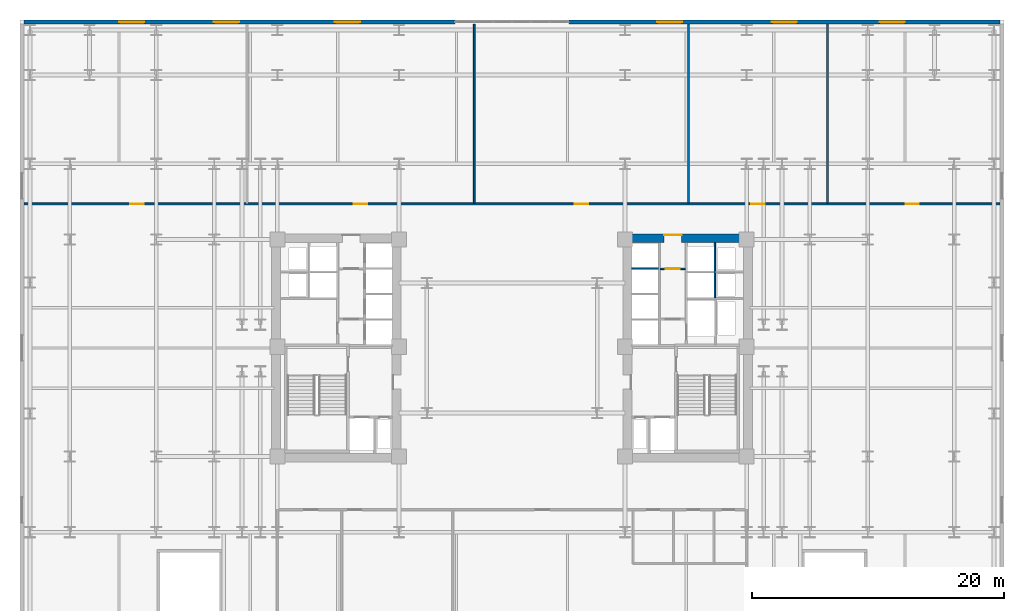
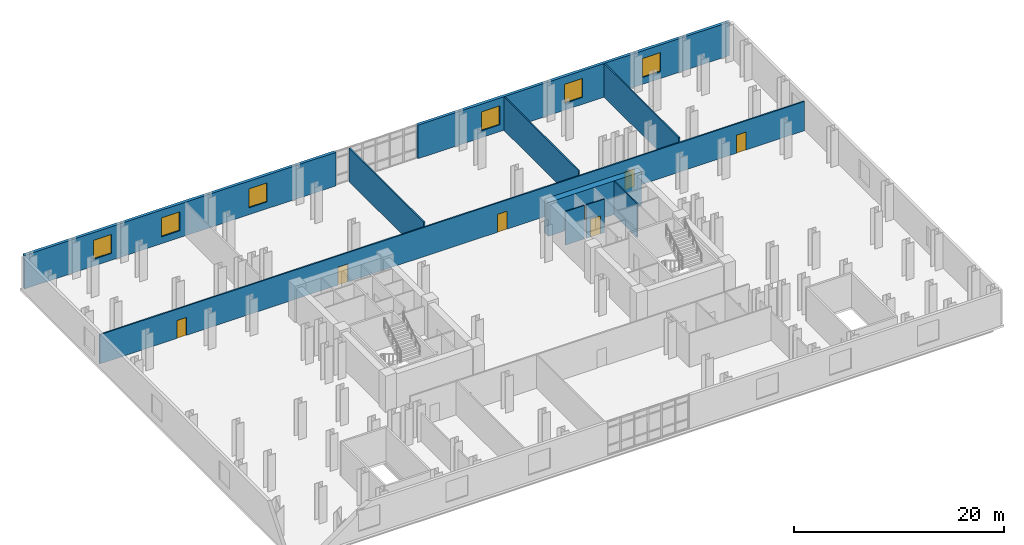
# One storey, part 10 of 13: 10 walls, 7 doors, 6 windows, 13 openings.
"""IFC4 building model written with IfcOpenShell, lengths in metres."""

from ifc_helpers import new_model, si_unit, direction, frame, frame_2d, origin, place, context, subcontext, project, spatial, rectangle, extrude, material, layer, layer_set, type_object, element, fill, save


model = new_model("IFC4")

# Units and contexts
model_context = context("Model", 3, precision=1e-05, world=origin(), true_north=direction((0.0, 1.0)))
body_context = subcontext(model_context, "Body", "Model", "MODEL_VIEW")
ifc_project = project(units=[si_unit("LENGTHUNIT", "METRE"), si_unit("AREAUNIT", "SQUARE_METRE"), si_unit("VOLUMEUNIT", "CUBIC_METRE"), si_unit("PLANEANGLEUNIT", "RADIAN"), si_unit("MASSUNIT", "GRAM", prefix="KILO")], contexts=[model_context])

# Site, building, storey
site_placement = place(None, origin())
site = spatial("IfcSite", under=ifc_project, at=site_placement, CompositionType="ELEMENT")
building_placement = place(site_placement, origin())
building = spatial("IfcBuilding", under=site, at=building_placement, Name="Velakula Bourse", CompositionType="ELEMENT")
storey_placement = place(building_placement, frame((0.0, 0.0, 22.800048828125)))
storey = spatial("IfcBuildingStorey", under=building, at=storey_placement, Name="L05", CompositionType="ELEMENT", Elevation=22.800048828125)

# Wall, opening, door
ifc_material_1 = material(Name="Concrete M70 (fck 70 MPa)", Category="concrete")
ifc_layer_1 = layer(ifc_material_1, 0.699951171875, Name="Concrete M70 (fck 70 MPa)", Category="concrete")
ifc_layer_set_1 = layer_set([ifc_layer_1], Name="Concrete M70 (fck 70 MPa)")
wall_type_1 = type_object("IfcWallType", Name="WL-CORE-700", PredefinedType="SHEAR", material=ifc_layer_set_1)
wall_1_placement = place(storey_placement, frame((8.800048828125, 8.699951171875, 0.0), z_axis=(0.0, 0.0, 1.0), x_axis=(1.0, 0.0, 0.0)))
wall_1 = element("IfcWall", 1, at=wall_1_placement, inside=storey, type_object=wall_type_1, Name="L05 Core E Shear Wall N", PredefinedType="SHEAR", context=body_context, shape_type="SweptSolid", body=[
    extrude(rectangle(XDim=10.25, YDim=0.699951171875, at=frame_2d((5.125, 0.0))), origin(), (0.0, 0.0, 1.0), 3.919921875),
])
opening_1_placement = place(wall_1_placement, frame((3.25, 0.0, 0.0)))
opening_1 = element("IfcOpeningElement", 2, at=opening_1_placement, cuts=wall_1, Name="Opening D-LLE", PredefinedType="OPENING", context=body_context, shape_type="SweptSolid", body=[
    extrude(rectangle(XDim=1.39990234375, YDim=2.050048828125, at=frame_2d((0.699951171875, 1.02490234375))), frame((0.0, 0.35986328125, 0.0), z_axis=(0.0, -1.0, 0.0), x_axis=(1.0, 0.0, 0.0)), (0.0, 0.0, 1.0), 0.719970703125),
])
ifc_material_2 = material(Name="Fire-rated hardwood flush architectural door", Category="wood")
door_type_1 = type_object("IfcDoorType", Name="DR-DBL-FD60-1400", OperationType="DOUBLE_DOOR_SINGLE_SWING", PredefinedType="DOOR", material=ifc_material_2)
door_1_placement = place(opening_1_placement, origin())
door_1 = element("IfcDoor", 3, at=door_1_placement, inside=storey, type_object=door_type_1, Name="L05 Core E Lift Lobby Corridor Double Door", OperationType="DOUBLE_DOOR_SINGLE_SWING", OverallHeight=2.050048828125, OverallWidth=1.39990234375, PredefinedType="DOOR", context=body_context, shape_type="SweptSolid", body=[
    extrude(rectangle(XDim=1.39990234375, YDim=2.050048828125, at=frame_2d((0.699951171875, 1.02490234375))), frame((0.0, 0.294921875, 0.0), z_axis=(0.0, -1.0, 0.0), x_axis=(1.0, 0.0, 0.0)), (0.0, 0.0, 1.0), 0.050048828125),
])
fill(opening_1, door_1)

# Wall, openings, windows
ifc_material_3 = material(Name="Red kilned clay facing brick masonry", Category="masonry")
ifc_layer_2 = layer(ifc_material_3, 0.320068359375, Name="Red kilned clay facing brick masonry", Category="masonry")
ifc_layer_set_2 = layer_set([ifc_layer_2], Name="Red kilned clay facing brick masonry")
wall_type_2 = type_object("IfcWallType", Name="WL-EXT-BRK-320", PredefinedType="STANDARD", material=ifc_layer_set_2)
wall_2_placement = place(storey_placement, frame((-38.679931640625, 25.840087890625, 0.0), z_axis=(0.0, 0.0, 1.0), x_axis=(1.0, 0.0, 0.0)))
wall_2 = element("IfcWall", 4, at=wall_2_placement, inside=storey, type_object=wall_type_2, Name="L05 North Brick Facade Wall 1", PredefinedType="STANDARD", context=body_context, shape_type="SweptSolid", body=[
    extrude(rectangle(XDim=34.179931640625, YDim=0.320068359375, at=frame_2d((17.08984375, 0.0))), origin(), (0.0, 0.0, 1.0), 3.89990234375),
])
opening_2_placement = place(wall_2_placement, frame((7.544921875, 0.0, 0.800048828125)))
opening_2 = element("IfcOpeningElement", 5, at=opening_2_placement, cuts=wall_2, Name="Opening W-07", PredefinedType="OPENING", context=body_context, shape_type="SweptSolid", body=[
    extrude(rectangle(XDim=2.0, YDim=2.199951171875, at=frame_2d((1.0, 1.10009765625))), frame((0.0, 0.169921875, 0.0), z_axis=(0.0, -1.0, 0.0), x_axis=(1.0, 0.0, 0.0)), (0.0, 0.0, 1.0), 0.340087890625),
])
opening_3_placement = place(wall_2_placement, frame((15.0400390625, 0.0, 0.800048828125)))
opening_3 = element("IfcOpeningElement", 6, at=opening_3_placement, cuts=wall_2, Name="Opening W-07", PredefinedType="OPENING", context=body_context, shape_type="SweptSolid", body=[
    extrude(rectangle(XDim=2.0, YDim=2.199951171875, at=frame_2d((1.0, 1.10009765625))), frame((0.0, 0.169921875, 0.0), z_axis=(0.0, -1.0, 0.0), x_axis=(1.0, 0.0, 0.0)), (0.0, 0.0, 1.0), 0.340087890625),
])
opening_4_placement = place(wall_2_placement, frame((24.635009765625, 0.0, 0.800048828125)))
opening_4 = element("IfcOpeningElement", 7, at=opening_4_placement, cuts=wall_2, Name="Opening W-07", PredefinedType="OPENING", context=body_context, shape_type="SweptSolid", body=[
    extrude(rectangle(XDim=2.0, YDim=2.199951171875, at=frame_2d((1.0, 1.10009765625))), frame((0.0, 0.169921875, 0.0), z_axis=(0.0, -1.0, 0.0), x_axis=(1.0, 0.0, 0.0)), (0.0, 0.0, 1.0), 0.340087890625),
])
ifc_material_4 = material(Name="Double-glazed solar-control Low-E glass", Category="glass")
window_type = type_object("IfcWindowType", Name="WIN-POD-2000x2400", PartitioningType="DOUBLE_PANEL_VERTICAL", PredefinedType="WINDOW", material=ifc_material_4)
window_1_placement = place(opening_2_placement, origin())
window_1 = element("IfcWindow", 8, at=window_1_placement, inside=storey, type_object=window_type, Name="L05 Deep-Set Recessed Window 1", OverallHeight=2.199951171875, OverallWidth=2.0, PartitioningType="DOUBLE_PANEL_VERTICAL", PredefinedType="WINDOW", context=body_context, shape_type="SweptSolid", body=[
    extrude(rectangle(XDim=2.0, YDim=2.199951171875, at=frame_2d((1.0, 1.10009765625))), frame((0.0, 0.030029296875, 0.0), z_axis=(0.0, -1.0, 0.0), x_axis=(1.0, 0.0, 0.0)), (0.0, 0.0, 1.0), 0.06005859375),
])
fill(opening_2, window_1)
window_2_placement = place(opening_3_placement, origin())
window_2 = element("IfcWindow", 9, at=window_2_placement, inside=storey, type_object=window_type, Name="L05 Deep-Set Recessed Window 2", OverallHeight=2.199951171875, OverallWidth=2.0, PartitioningType="DOUBLE_PANEL_VERTICAL", PredefinedType="WINDOW", context=body_context, shape_type="SweptSolid", body=[
    extrude(rectangle(XDim=2.0, YDim=2.199951171875, at=frame_2d((1.0, 1.10009765625))), frame((0.0, 0.030029296875, 0.0), z_axis=(0.0, -1.0, 0.0), x_axis=(1.0, 0.0, 0.0)), (0.0, 0.0, 1.0), 0.06005859375),
])
fill(opening_3, window_2)
window_3_placement = place(opening_4_placement, origin())
window_3 = element("IfcWindow", 10, at=window_3_placement, inside=storey, type_object=window_type, Name="L05 Deep-Set Recessed Window 3", OverallHeight=2.199951171875, OverallWidth=2.0, PartitioningType="DOUBLE_PANEL_VERTICAL", PredefinedType="WINDOW", context=body_context, shape_type="SweptSolid", body=[
    extrude(rectangle(XDim=2.0, YDim=2.199951171875, at=frame_2d((1.0, 1.10009765625))), frame((0.0, 0.030029296875, 0.0), z_axis=(0.0, -1.0, 0.0), x_axis=(1.0, 0.0, 0.0)), (0.0, 0.0, 1.0), 0.06005859375),
])
fill(opening_4, window_3)

wall_3_placement = place(storey_placement, frame((4.5, 25.840087890625, 0.0), z_axis=(0.0, 0.0, 1.0), x_axis=(1.0, 0.0, 0.0)))
wall_3 = element("IfcWall", 11, at=wall_3_placement, inside=storey, type_object=wall_type_2, Name="L05 North Brick Facade Wall 3", PredefinedType="STANDARD", context=body_context, shape_type="SweptSolid", body=[
    extrude(rectangle(XDim=34.179931640625, YDim=0.320068359375, at=frame_2d((17.08984375, 0.0))), origin(), (0.0, 0.0, 1.0), 3.89990234375),
])
opening_5_placement = place(wall_3_placement, frame((6.9951171875, 0.0, 0.800048828125)))
opening_5 = element("IfcOpeningElement", 12, at=opening_5_placement, cuts=wall_3, Name="Opening W-07", PredefinedType="OPENING", context=body_context, shape_type="SweptSolid", body=[
    extrude(rectangle(XDim=2.0, YDim=2.199951171875, at=frame_2d((1.0, 1.10009765625))), frame((0.0, 0.169921875, 0.0), z_axis=(0.0, -1.0, 0.0), x_axis=(1.0, 0.0, 0.0)), (0.0, 0.0, 1.0), 0.340087890625),
])
opening_6_placement = place(wall_3_placement, frame((16.090087890625, 0.0, 0.800048828125)))
opening_6 = element("IfcOpeningElement", 13, at=opening_6_placement, cuts=wall_3, Name="Opening W-07", PredefinedType="OPENING", context=body_context, shape_type="SweptSolid", body=[
    extrude(rectangle(XDim=2.0, YDim=2.199951171875, at=frame_2d((1.0, 1.10009765625))), frame((0.0, 0.169921875, 0.0), z_axis=(0.0, -1.0, 0.0), x_axis=(1.0, 0.0, 0.0)), (0.0, 0.0, 1.0), 0.340087890625),
])
opening_7_placement = place(wall_3_placement, frame((24.635009765625, 0.0, 0.800048828125)))
opening_7 = element("IfcOpeningElement", 14, at=opening_7_placement, cuts=wall_3, Name="Opening W-07", PredefinedType="OPENING", context=body_context, shape_type="SweptSolid", body=[
    extrude(rectangle(XDim=2.0, YDim=2.199951171875, at=frame_2d((1.0, 1.10009765625))), frame((0.0, 0.169921875, 0.0), z_axis=(0.0, -1.0, 0.0), x_axis=(1.0, 0.0, 0.0)), (0.0, 0.0, 1.0), 0.340087890625),
])
window_4_placement = place(opening_5_placement, origin())
window_4 = element("IfcWindow", 15, at=window_4_placement, inside=storey, type_object=window_type, Name="L05 Deep-Set Recessed Window 1", OverallHeight=2.199951171875, OverallWidth=2.0, PartitioningType="DOUBLE_PANEL_VERTICAL", PredefinedType="WINDOW", context=body_context, shape_type="SweptSolid", body=[
    extrude(rectangle(XDim=2.0, YDim=2.199951171875, at=frame_2d((1.0, 1.10009765625))), frame((0.0, 0.030029296875, 0.0), z_axis=(0.0, -1.0, 0.0), x_axis=(1.0, 0.0, 0.0)), (0.0, 0.0, 1.0), 0.06005859375),
])
fill(opening_5, window_4)
window_5_placement = place(opening_6_placement, origin())
window_5 = element("IfcWindow", 16, at=window_5_placement, inside=storey, type_object=window_type, Name="L05 Deep-Set Recessed Window 2", OverallHeight=2.199951171875, OverallWidth=2.0, PartitioningType="DOUBLE_PANEL_VERTICAL", PredefinedType="WINDOW", context=body_context, shape_type="SweptSolid", body=[
    extrude(rectangle(XDim=2.0, YDim=2.199951171875, at=frame_2d((1.0, 1.10009765625))), frame((0.0, 0.030029296875, 0.0), z_axis=(0.0, -1.0, 0.0), x_axis=(1.0, 0.0, 0.0)), (0.0, 0.0, 1.0), 0.06005859375),
])
fill(opening_6, window_5)
window_6_placement = place(opening_7_placement, origin())
window_6 = element("IfcWindow", 17, at=window_6_placement, inside=storey, type_object=window_type, Name="L05 Deep-Set Recessed Window 3", OverallHeight=2.199951171875, OverallWidth=2.0, PartitioningType="DOUBLE_PANEL_VERTICAL", PredefinedType="WINDOW", context=body_context, shape_type="SweptSolid", body=[
    extrude(rectangle(XDim=2.0, YDim=2.199951171875, at=frame_2d((1.0, 1.10009765625))), frame((0.0, 0.030029296875, 0.0), z_axis=(0.0, -1.0, 0.0), x_axis=(1.0, 0.0, 0.0)), (0.0, 0.0, 1.0), 0.06005859375),
])
fill(opening_7, window_6)

# Wall, opening, door
ifc_material_5 = material(Name="Fire-rated double-layer gypsum drywall partition", Category="gypsum")
ifc_layer_3 = layer(ifc_material_5, 0.1201171875, Name="Fire-rated double-layer gypsum drywall partition", Category="gypsum")
ifc_layer_set_3 = layer_set([ifc_layer_3], Name="Fire-rated double-layer gypsum drywall partition")
wall_type_3 = type_object("IfcWallType", Name="WL-PART-120", PredefinedType="STANDARD", material=ifc_layer_set_3)
wall_4_placement = place(storey_placement, frame((11.75, 6.280029296875, 0.0), z_axis=(0.0, 0.0, 1.0), x_axis=(1.0, 0.0, 0.0)))
wall_4 = element("IfcWall", 18, at=wall_4_placement, inside=storey, type_object=wall_type_3, Name="L05 Interior Partition WL-CRE-L05-LL-K3B", PredefinedType="STANDARD", context=body_context, shape_type="SweptSolid", body=[
    extrude(rectangle(XDim=2.0, YDim=0.1201171875, at=frame_2d((1.0, 0.0))), origin(), (0.0, 0.0, 1.0), 3.89990234375),
])
opening_8_placement = place(wall_4_placement, frame((0.449951171875, 0.0, 0.0)))
opening_8 = element("IfcOpeningElement", 19, at=opening_8_placement, cuts=wall_4, Name="Opening D-LK3", PredefinedType="OPENING", context=body_context, shape_type="SweptSolid", body=[
    extrude(rectangle(XDim=1.10009765625, YDim=2.10009765625, at=frame_2d((0.550048828125, 1.050048828125))), frame((0.0, 0.070068359375, 0.0), z_axis=(0.0, -1.0, 0.0), x_axis=(1.0, 0.0, 0.0)), (0.0, 0.0, 1.0), 0.14013671875),
])
door_type_2 = type_object("IfcDoorType", Name="DR-FD60-1100x2100", OperationType="NOTDEFINED", PredefinedType="DOOR", material=ifc_material_2)
door_2_placement = place(opening_8_placement, origin())
door_2 = element("IfcDoor", 20, at=door_2_placement, inside=storey, type_object=door_type_2, Name="L05 Core E Lift Lobby Vestibule Door B", OperationType="SINGLE_SWING_RIGHT", OverallHeight=2.10009765625, OverallWidth=1.10009765625, PredefinedType="DOOR", context=body_context, shape_type="SweptSolid", body=[
    extrude(rectangle(XDim=1.10009765625, YDim=2.10009765625, at=frame_2d((0.550048828125, 1.050048828125))), frame((0.0, 0.02490234375, 0.0), z_axis=(0.0, -1.0, 0.0), x_axis=(1.0, 0.0, 0.0)), (0.0, 0.0, 1.0), 0.050048828125),
])
fill(opening_8, door_2)

# Walls
wall_5_placement = place(storey_placement, frame((9.5, 6.31494140625, 0.0), z_axis=(0.0, 0.0, 1.0), x_axis=(1.0, 0.0, 0.0)))
element("IfcWall", 21, at=wall_5_placement, inside=storey, type_object=wall_type_3, Name="L05 Interior Partition WL-CRE-L05-BDIV-2", PredefinedType="STANDARD", context=body_context, shape_type="SweptSolid", body=[
    extrude(rectangle(XDim=2.10009765625, YDim=0.110107421875, at=frame_2d((1.050048828125, 0.0))), origin(), (0.0, 0.0, 1.0), 3.89990234375),
])
wall_6_placement = place(storey_placement, frame((16.074951171875, 3.97998046875, 0.0), z_axis=(0.0, 0.0, 1.0), x_axis=(0.0, 1.0, 0.0)))
element("IfcWall", 22, at=wall_6_placement, inside=storey, type_object=wall_type_3, Name="L05 Interior Partition WL-CRE-L05-RIS-F", PredefinedType="STANDARD", context=body_context, shape_type="SweptSolid", body=[
    extrude(rectangle(XDim=4.3701171875, YDim=0.1201171875, at=frame_2d((2.18505859375, 0.0))), origin(), (0.0, 0.0, 1.0), 3.89990234375),
])

# Wall, openings, doors
ifc_layer_4 = layer(ifc_material_5, 0.139892578125, Name="Fire-rated double-layer gypsum drywall partition", Category="gypsum")
ifc_layer_set_4 = layer_set([ifc_layer_4], Name="Fire-rated double-layer gypsum drywall partition")
wall_type_4 = type_object("IfcWallType", Name="WL-PART-140", PredefinedType="STANDARD", material=ifc_layer_set_4)
wall_7_placement = place(storey_placement, frame((-38.679931640625, 11.419921875, 0.0), z_axis=(0.0, 0.0, 1.0), x_axis=(1.0, 0.0, 0.0)))
wall_7 = element("IfcWall", 23, at=wall_7_placement, inside=storey, type_object=wall_type_4, Name="L05 Interior Partition WL-POD-L05-N-CORR", PredefinedType="STANDARD", context=body_context, shape_type="SweptSolid", body=[
    extrude(rectangle(XDim=77.35986328125, YDim=0.14990234375, at=frame_2d((38.679931640625, 0.0))), origin(), (0.0, 0.0, 1.0), 3.39501953125),
])
opening_9_placement = place(wall_7_placement, frame((8.43603515625, 0.0, 0.0)))
opening_9 = element("IfcOpeningElement", 24, at=opening_9_placement, cuts=wall_7, Name="Opening D-PD1", PredefinedType="OPENING", context=body_context, shape_type="SweptSolid", body=[
    extrude(rectangle(XDim=1.050048828125, YDim=2.080078125, at=frame_2d((0.52490234375, 1.0400390625))), frame((0.0, 0.0849609375, 0.0), z_axis=(0.0, -1.0, 0.0), x_axis=(1.0, 0.0, 0.0)), (0.0, 0.0, 1.0), 0.169921875),
])
opening_10_placement = place(wall_7_placement, frame((26.155029296875, 0.0, 0.0)))
opening_10 = element("IfcOpeningElement", 25, at=opening_10_placement, cuts=wall_7, Name="Opening D-PD1", PredefinedType="OPENING", context=body_context, shape_type="SweptSolid", body=[
    extrude(rectangle(XDim=1.050048828125, YDim=2.080078125, at=frame_2d((0.52490234375, 1.0400390625))), frame((0.0, 0.0849609375, 0.0), z_axis=(0.0, -1.0, 0.0), x_axis=(1.0, 0.0, 0.0)), (0.0, 0.0, 1.0), 0.169921875),
])
opening_11_placement = place(wall_7_placement, frame((43.655029296875, 0.0, 0.0)))
opening_11 = element("IfcOpeningElement", 26, at=opening_11_placement, cuts=wall_7, Name="Opening D-PD1", PredefinedType="OPENING", context=body_context, shape_type="SweptSolid", body=[
    extrude(rectangle(XDim=1.050048828125, YDim=2.080078125, at=frame_2d((0.52490234375, 1.0400390625))), frame((0.0, 0.0849609375, 0.0), z_axis=(0.0, -1.0, 0.0), x_axis=(1.0, 0.0, 0.0)), (0.0, 0.0, 1.0), 0.169921875),
])
opening_12_placement = place(wall_7_placement, frame((57.655029296875, 0.0, 0.0)))
opening_12 = element("IfcOpeningElement", 27, at=opening_12_placement, cuts=wall_7, Name="Opening D-PD1", PredefinedType="OPENING", context=body_context, shape_type="SweptSolid", body=[
    extrude(rectangle(XDim=1.050048828125, YDim=2.080078125, at=frame_2d((0.52490234375, 1.0400390625))), frame((0.0, 0.0849609375, 0.0), z_axis=(0.0, -1.0, 0.0), x_axis=(1.0, 0.0, 0.0)), (0.0, 0.0, 1.0), 0.169921875),
])
opening_13_placement = place(wall_7_placement, frame((69.8740234375, 0.0, 0.0)))
opening_13 = element("IfcOpeningElement", 28, at=opening_13_placement, cuts=wall_7, Name="Opening D-PD1", PredefinedType="OPENING", context=body_context, shape_type="SweptSolid", body=[
    extrude(rectangle(XDim=1.050048828125, YDim=2.080078125, at=frame_2d((0.52490234375, 1.0400390625))), frame((0.0, 0.0849609375, 0.0), z_axis=(0.0, -1.0, 0.0), x_axis=(1.0, 0.0, 0.0)), (0.0, 0.0, 1.0), 0.169921875),
])
door_type_3 = type_object("IfcDoorType", Name="DR-OFF-1050", OperationType="NOTDEFINED", PredefinedType="DOOR", material=ifc_material_2)
door_3_placement = place(opening_9_placement, origin())
door_3 = element("IfcDoor", 29, at=door_3_placement, inside=storey, type_object=door_type_3, Name="L05 Bourse Members Club Restaurant Door", OperationType="SINGLE_SWING_LEFT", OverallHeight=2.080078125, OverallWidth=1.050048828125, PredefinedType="DOOR", context=body_context, shape_type="SweptSolid", body=[
    extrude(rectangle(XDim=1.050048828125, YDim=2.080078125, at=frame_2d((0.52490234375, 1.0400390625))), frame((0.0, 0.02490234375, 0.0), z_axis=(0.0, -1.0, 0.0), x_axis=(1.0, 0.0, 0.0)), (0.0, 0.0, 1.0), 0.050048828125),
])
fill(opening_9, door_3)
door_4_placement = place(opening_10_placement, origin())
door_4 = element("IfcDoor", 30, at=door_4_placement, inside=storey, type_object=door_type_3, Name="L05 Commercial Restaurant Kitchen Door", OperationType="SINGLE_SWING_RIGHT", OverallHeight=2.080078125, OverallWidth=1.050048828125, PredefinedType="DOOR", context=body_context, shape_type="SweptSolid", body=[
    extrude(rectangle(XDim=1.050048828125, YDim=2.080078125, at=frame_2d((0.52490234375, 1.0400390625))), frame((0.0, 0.02490234375, 0.0), z_axis=(0.0, -1.0, 0.0), x_axis=(1.0, 0.0, 0.0)), (0.0, 0.0, 1.0), 0.050048828125),
])
fill(opening_10, door_4)
door_5_placement = place(opening_11_placement, origin())
door_5 = element("IfcDoor", 31, at=door_5_placement, inside=storey, type_object=door_type_3, Name="L05 Traders Quiet Financial Library Door", OperationType="SINGLE_SWING_LEFT", OverallHeight=2.080078125, OverallWidth=1.050048828125, PredefinedType="DOOR", context=body_context, shape_type="SweptSolid", body=[
    extrude(rectangle(XDim=1.050048828125, YDim=2.080078125, at=frame_2d((0.52490234375, 1.0400390625))), frame((0.0, 0.02490234375, 0.0), z_axis=(0.0, -1.0, 0.0), x_axis=(1.0, 0.0, 0.0)), (0.0, 0.0, 1.0), 0.050048828125),
])
fill(opening_11, door_5)
door_6_placement = place(opening_12_placement, origin())
door_6 = element("IfcDoor", 32, at=door_6_placement, inside=storey, type_object=door_type_3, Name="L05 Club Boardroom Door", OperationType="SINGLE_SWING_RIGHT", OverallHeight=2.080078125, OverallWidth=1.050048828125, PredefinedType="DOOR", context=body_context, shape_type="SweptSolid", body=[
    extrude(rectangle(XDim=1.050048828125, YDim=2.080078125, at=frame_2d((0.52490234375, 1.0400390625))), frame((0.0, 0.02490234375, 0.0), z_axis=(0.0, -1.0, 0.0), x_axis=(1.0, 0.0, 0.0)), (0.0, 0.0, 1.0), 0.050048828125),
])
fill(opening_12, door_6)
door_7_placement = place(opening_13_placement, origin())
door_7 = element("IfcDoor", 33, at=door_7_placement, inside=storey, type_object=door_type_3, Name="L05 Sommelier Pantry Door", OperationType="SINGLE_SWING_LEFT", OverallHeight=2.080078125, OverallWidth=1.050048828125, PredefinedType="DOOR", context=body_context, shape_type="SweptSolid", body=[
    extrude(rectangle(XDim=1.050048828125, YDim=2.080078125, at=frame_2d((0.52490234375, 1.0400390625))), frame((0.0, 0.02490234375, 0.0), z_axis=(0.0, -1.0, 0.0), x_axis=(1.0, 0.0, 0.0)), (0.0, 0.0, 1.0), 0.050048828125),
])
fill(opening_13, door_7)

# Walls
for number, where, z_axis, x_axis, name in (
    (34, (-3.0, 11.489990234375, 0.0), (0.0, 0.0, 1.0), (0.0, 1.0, 0.0), "L05 Interior Partition WL-POD-L05-ND2"),
    (35, (14.0, 11.489990234375, 0.0), (0.0, 0.0, 1.0), (0.0, 1.0, 0.0), "L05 Interior Partition WL-POD-L05-ND3"),
    (36, (25.0, 11.489990234375, 0.0), (0.0, 0.0, 1.0), (0.0, 1.0, 0.0), "L05 Interior Partition WL-POD-L05-ND4"),
):
    element("IfcWall", number, at=place(storey_placement, frame(where, z_axis=z_axis, x_axis=x_axis)), inside=storey, type_object=wall_type_4, Name=name, PredefinedType="STANDARD", context=body_context, shape_type="SweptSolid", body=[
        extrude(rectangle(XDim=14.18994140625, YDim=0.139892578125, at=frame_2d((7.094970703125, 0.0))), origin(), (0.0, 0.0, 1.0), 3.89990234375),
    ])

save(model, "model.ifc")
